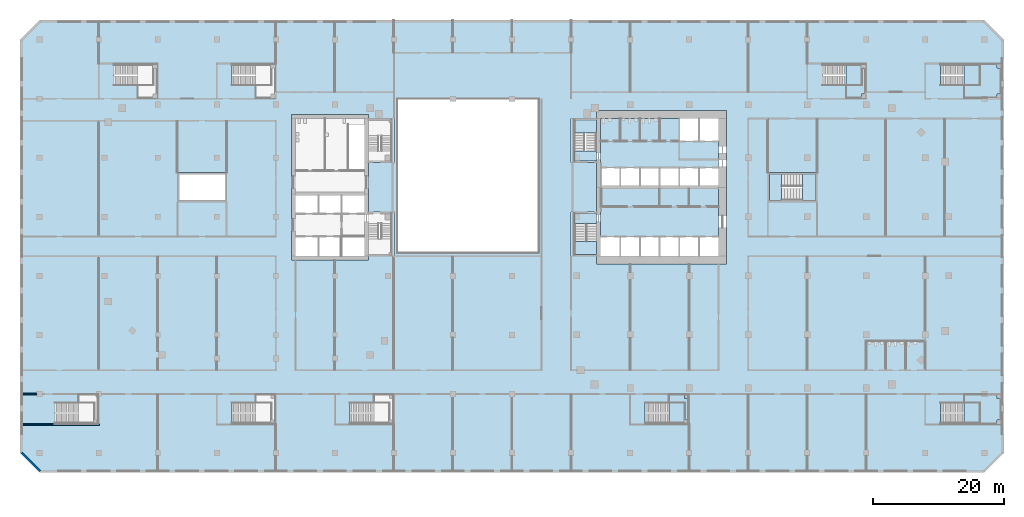
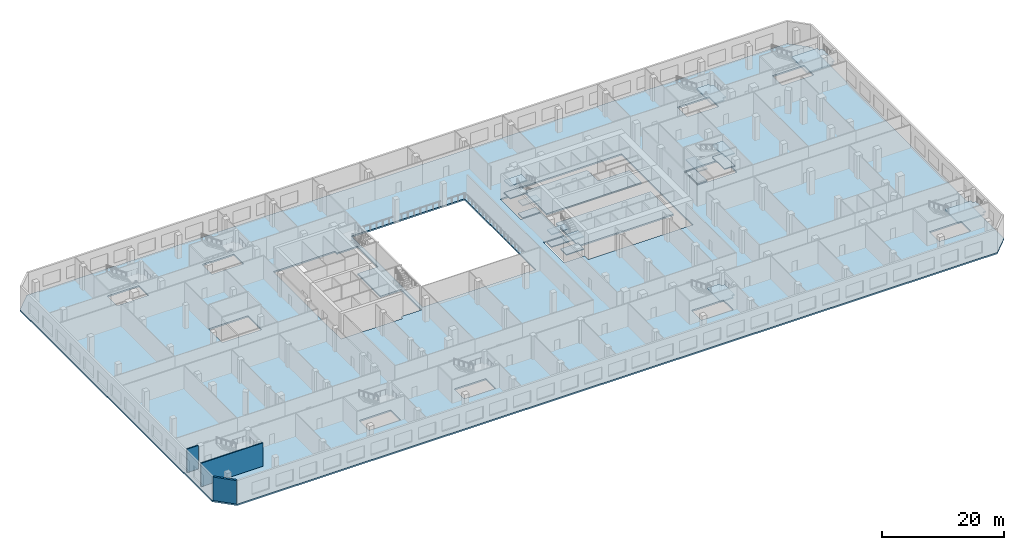
# One storey, part 3 of 21: 19 slabs, 3 walls, 7 elements without a shape of their own.
"""IFC4 building model written with IfcOpenShell, lengths in metres."""

from ifc_helpers import new_model, si_unit, direction, frame, frame_2d, origin, place, context, subcontext, project, spatial, polyline, rectangle, outline, extrude, material, layer, layer_set, type_object, element, aggregate, save


model = new_model("IFC4")

# Units and contexts
model_context = context("Model", 3, precision=1e-05, world=origin(), true_north=direction((0.0, 1.0)))
body_context = subcontext(model_context, "Body", "Model", "MODEL_VIEW")
ifc_project = project(units=[si_unit("LENGTHUNIT", "METRE"), si_unit("AREAUNIT", "SQUARE_METRE"), si_unit("VOLUMEUNIT", "CUBIC_METRE"), si_unit("PLANEANGLEUNIT", "RADIAN"), si_unit("MASSUNIT", "GRAM", prefix="KILO")], contexts=[model_context])

# Site, building, storey
site_placement = place(None, origin())
site = spatial("IfcSite", under=ifc_project, at=site_placement, CompositionType="ELEMENT")
building_placement = place(site_placement, origin())
building = spatial("IfcBuilding", under=site, at=building_placement, Name="Cinnabar Reach Civic Tower", CompositionType="ELEMENT")
storey_placement = place(building_placement, frame((0.0, 0.0, 16.0)))
storey = spatial("IfcBuildingStorey", under=building, at=storey_placement, Name="L03", CompositionType="ELEMENT", Elevation=16.0)

# Stair, slab
ifc_material_1 = material(Name="Concrete C35", Category="concrete")
stair_type_1 = type_object("IfcStairType", Name="Podium exit stair 1500", PredefinedType="HALF_TURN_STAIR", material=ifc_material_1)
stair_1_placement = place(storey_placement, origin())
stair_1 = element("IfcStair", 1, at=stair_1_placement, inside=storey, type_object=stair_type_1, Name="Stair PS3", PredefinedType="HALF_TURN_STAIR")
ifc_material_2 = material(Name="Concrete C35/45", Category="concrete")
ifc_layer_1 = layer(ifc_material_2, 0.25)
ifc_layer_set_1 = layer_set([ifc_layer_1], Name="Podium exit stair landing 250")
slab_type_1 = type_object("IfcSlabType", Name="Podium exit stair landing 250", PredefinedType="LANDING", material=ifc_layer_set_1)
slab_1_placement = place(storey_placement, frame((0.0, 0.0, 2.25)))
slab_1 = element("IfcSlab", 2, at=slab_1_placement, type_object=slab_type_1, Name="PS3 landing 1", PredefinedType="LANDING", context=body_context, shape_type="SweptSolid", body=[
    extrude(outline(polyline([(17.9, -3.95), (17.3, -3.95), (17.3, -4.55), (14.93, -4.55), (14.93, -0.1), (17.3, -0.1), (17.3, -0.7), (17.9, -0.7), (17.9, -3.95)])), origin(), (0.0, 0.0, 1.0), 0.25),
])
aggregate(stair_1, [slab_1])

stair_2_placement = place(storey_placement, origin())
stair_2 = element("IfcStair", 3, at=stair_2_placement, inside=storey, type_object=stair_type_1, Name="Stair PS4", PredefinedType="HALF_TURN_STAIR")
slab_2_placement = place(storey_placement, frame((0.0, 0.0, 2.25)))
slab_2 = element("IfcSlab", 4, at=slab_2_placement, type_object=slab_type_1, Name="PS4 landing 1", PredefinedType="LANDING", context=body_context, shape_type="SweptSolid", body=[
    extrude(outline(polyline([(65.5, -3.95), (64.9, -3.95), (64.9, -4.55), (59.93, -4.55), (59.93, -0.1), (64.9, -0.1), (64.9, -0.7), (65.5, -0.7), (65.5, -3.95)])), origin(), (0.0, 0.0, 1.0), 0.25),
])
aggregate(stair_2, [slab_2])

stair_3_placement = place(storey_placement, origin())
stair_3 = element("IfcStair", 5, at=stair_3_placement, inside=storey, type_object=stair_type_1, Name="Stair PS5", PredefinedType="HALF_TURN_STAIR")
slab_3_placement = place(storey_placement, frame((0.0, 0.0, 2.25)))
slab_3 = element("IfcSlab", 6, at=slab_3_placement, type_object=slab_type_1, Name="PS5 landing 1", PredefinedType="LANDING", context=body_context, shape_type="SweptSolid", body=[
    extrude(outline(polyline([(65.5, 45.7), (64.9, 45.7), (64.9, 45.1), (59.93, 45.1), (59.93, 50.25), (64.9, 50.25), (64.9, 49.65), (65.5, 49.65), (65.5, 45.7)])), origin(), (0.0, 0.0, 1.0), 0.25),
])
aggregate(stair_3, [slab_3])

stair_4_placement = place(storey_placement, origin())
stair_4 = element("IfcStair", 7, at=stair_4_placement, inside=storey, type_object=stair_type_1, Name="Stair PS6", PredefinedType="HALF_TURN_STAIR")
slab_4_placement = place(storey_placement, frame((0.0, 0.0, 2.25)))
slab_4 = element("IfcSlab", 8, at=slab_4_placement, type_object=slab_type_1, Name="PS6 landing 1", PredefinedType="LANDING", context=body_context, shape_type="SweptSolid", body=[
    extrude(outline(polyline([(44.9, 45.7), (44.3, 45.7), (44.3, 45.1), (41.93, 45.1), (41.93, 50.25), (44.3, 50.25), (44.3, 49.65), (44.9, 49.65), (44.9, 45.7)])), origin(), (0.0, 0.0, 1.0), 0.25),
])
aggregate(stair_4, [slab_4])

# Slab
ifc_material_3 = material(Name="Concrete C40", Category="concrete")
ifc_layer_2 = layer(ifc_material_3, 0.3)
ifc_layer_set_2 = layer_set([ifc_layer_2], Name="Podium flat plate 300 REI 150")
slab_type_2 = type_object("IfcSlabType", Name="Podium flat plate 300 REI 150", PredefinedType="FLOOR", material=ifc_layer_set_2)
slab_5_placement = place(storey_placement, frame((0.0, 0.0, -0.3)))
element("IfcSlab", 9, at=slab_5_placement, inside=storey, type_object=slab_type_2, Name="Podium flat plate 300 L03", PredefinedType="FLOOR", context=body_context, shape_type="SweptSolid", body=[
    extrude(outline(polyline([(-84.0, -9.0), (-84.0, 54.0), (-81.0, 57.0), (63.0, 57.0), (66.0, 54.0), (66.0, -9.0), (63.0, -12.0), (-81.0, -12.0), (-84.0, -9.0)]), holes=[polyline([(-78.7, -1.3), (-78.7, -4.5), (-72.7, -4.5), (-72.7, -1.3), (-78.7, -1.3)]), polyline([(-45.7, -1.3), (-51.7, -1.3), (-51.7, -4.5), (-45.7, -4.5), (-45.7, -1.3)]), polyline([(-27.7, -1.3), (-33.7, -1.3), (-33.7, -4.5), (-27.7, -4.5), (-27.7, -1.3)]), polyline([(-52.5, 33.75), (-60.0, 33.75), (-60.0, 29.25), (-52.5, 29.25), (-52.5, 33.75)]), polyline([(-42.6, 20.4), (-30.9, 20.4), (-30.9, 21.0), (-27.0, 21.0), (-27.0, 27.75), (-30.9, 27.75), (-30.9, 35.25), (-27.0, 35.25), (-27.0, 42.0), (-30.9, 42.0), (-30.9, 42.6), (-42.6, 42.6), (-42.6, 20.4)]), polyline([(-63.7, 50.2), (-69.7, 50.2), (-69.7, 47.0), (-63.7, 47.0), (-63.7, 50.2)]), polyline([(-45.7, 50.2), (-51.7, 50.2), (-51.7, 47.0), (-45.7, 47.0), (-45.7, 50.2)]), polyline([(11.3, -1.3), (11.3, -4.5), (17.3, -4.5), (17.3, -1.3), (11.3, -1.3)]), polyline([(62.3, -1.3), (56.3, -1.3), (56.3, -4.5), (62.3, -4.5), (62.3, -1.3)]), polyline([(3.9, 42.0), (0.0, 42.0), (0.0, 35.25), (3.9, 35.25), (3.9, 27.75), (0.0, 27.75), (0.0, 21.0), (3.9, 21.0), (3.9, 19.8), (23.7, 19.8), (23.7, 43.2), (3.9, 43.2), (3.9, 42.0)]), polyline([(37.5, 33.75), (30.0, 33.75), (30.0, 29.25), (37.5, 29.25), (37.5, 33.75)]), polyline([(-5.0, 45.0), (-26.4, 45.0), (-26.4, 21.6), (-5.0, 21.6), (-5.0, 45.0)]), polyline([(44.3, 47.0), (44.3, 50.2), (38.3, 50.2), (38.3, 47.0), (44.3, 47.0)]), polyline([(62.3, 47.0), (62.3, 50.2), (56.3, 50.2), (56.3, 47.0), (62.3, 47.0)])]), origin(), (0.0, 0.0, 1.0), 0.3),
])

# Stair, slabs
ifc_material_4 = material(Name="Concrete C40/50", Category="concrete")
stair_type_2 = type_object("IfcStairType", Name="T1 Exit stair, double return", PredefinedType="DOUBLE_RETURN_STAIR", material=ifc_material_4)
stair_5_placement = place(storey_placement, origin())
stair_5 = element("IfcStair", 10, at=stair_5_placement, inside=storey, type_object=stair_type_2, Name="Stair T1-S1", PredefinedType="DOUBLE_RETURN_STAIR")
ifc_layer_3 = layer(ifc_material_4, 0.2)
ifc_layer_set_3 = layer_set([ifc_layer_3], Name="T1 Stair landing 200, Concrete C40/50")
slab_type_3 = type_object("IfcSlabType", Name="T1 Stair landing 200, Concrete C40/50", PredefinedType="LANDING", material=ifc_layer_set_3)
slab_6_placement = place(storey_placement, frame((0.0, 0.0, -0.2)))
slab_6 = element("IfcSlab", 11, at=slab_6_placement, type_object=slab_type_3, Name="T1-S1 landing 1", PredefinedType="LANDING", context=body_context, shape_type="SweptSolid", body=[
    extrude(outline(polyline([(3.9, 25.95), (3.9, 27.5), (0.5, 27.5), (0.5, 25.95), (3.9, 25.95)])), origin(), (0.0, 0.0, 1.0), 0.2),
])
slab_7_placement = place(storey_placement, frame((0.0, 0.0, 1.05)))
slab_7 = element("IfcSlab", 12, at=slab_7_placement, type_object=slab_type_3, Name="T1-S1 landing 2", PredefinedType="LANDING", context=body_context, shape_type="SweptSolid", body=[
    extrude(outline(polyline([(3.9, 21.25), (3.9, 23.205), (0.6, 23.205), (0.6, 21.25), (3.9, 21.25)])), origin(), (0.0, 0.0, 1.0), 0.2),
])
slab_8_placement = place(storey_placement, frame((0.0, 0.0, 2.3)))
slab_8 = element("IfcSlab", 13, at=slab_8_placement, type_object=slab_type_3, Name="T1-S1 landing 3", PredefinedType="LANDING", context=body_context, shape_type="SweptSolid", body=[
    extrude(outline(polyline([(3.9, 25.95), (3.9, 27.5), (0.5, 27.5), (0.5, 25.95), (3.9, 25.95)])), origin(), (0.0, 0.0, 1.0), 0.2),
])
slab_9_placement = place(storey_placement, frame((0.0, 0.0, 3.55)))
slab_9 = element("IfcSlab", 14, at=slab_9_placement, type_object=slab_type_3, Name="T1-S1 landing 4", PredefinedType="LANDING", context=body_context, shape_type="SweptSolid", body=[
    extrude(outline(polyline([(3.9, 21.25), (3.9, 23.205), (0.6, 23.205), (0.6, 21.25), (3.9, 21.25)])), origin(), (0.0, 0.0, 1.0), 0.2),
])
aggregate(stair_5, [slab_6, slab_7, slab_8, slab_9])

stair_6_placement = place(storey_placement, origin())
stair_6 = element("IfcStair", 15, at=stair_6_placement, inside=storey, type_object=stair_type_2, Name="Stair T1-S2", PredefinedType="DOUBLE_RETURN_STAIR")
slab_10_placement = place(storey_placement, frame((0.0, 0.0, -0.2)))
slab_10 = element("IfcSlab", 16, at=slab_10_placement, type_object=slab_type_3, Name="T1-S2 landing 1", PredefinedType="LANDING", context=body_context, shape_type="SweptSolid", body=[
    extrude(outline(polyline([(3.9, 35.5), (3.9, 37.05), (0.5, 37.05), (0.5, 35.5), (3.9, 35.5)])), origin(), (0.0, 0.0, 1.0), 0.2),
])
slab_11_placement = place(storey_placement, frame((0.0, 0.0, 1.05)))
slab_11 = element("IfcSlab", 17, at=slab_11_placement, type_object=slab_type_3, Name="T1-S2 landing 2", PredefinedType="LANDING", context=body_context, shape_type="SweptSolid", body=[
    extrude(outline(polyline([(3.9, 39.795), (3.9, 41.75), (0.6, 41.75), (0.6, 39.795), (3.9, 39.795)])), origin(), (0.0, 0.0, 1.0), 0.2),
])
slab_12_placement = place(storey_placement, frame((0.0, 0.0, 2.3)))
slab_12 = element("IfcSlab", 18, at=slab_12_placement, type_object=slab_type_3, Name="T1-S2 landing 3", PredefinedType="LANDING", context=body_context, shape_type="SweptSolid", body=[
    extrude(outline(polyline([(3.9, 35.5), (3.9, 37.05), (0.5, 37.05), (0.5, 35.5), (3.9, 35.5)])), origin(), (0.0, 0.0, 1.0), 0.2),
])
slab_13_placement = place(storey_placement, frame((0.0, 0.0, 3.55)))
slab_13 = element("IfcSlab", 19, at=slab_13_placement, type_object=slab_type_3, Name="T1-S2 landing 4", PredefinedType="LANDING", context=body_context, shape_type="SweptSolid", body=[
    extrude(outline(polyline([(3.9, 39.795), (3.9, 41.75), (0.6, 41.75), (0.6, 39.795), (3.9, 39.795)])), origin(), (0.0, 0.0, 1.0), 0.2),
])
aggregate(stair_6, [slab_10, slab_11, slab_12, slab_13])

stair_7_placement = place(storey_placement, origin())
stair_7 = element("IfcStair", 20, at=stair_7_placement, inside=storey, type_object=stair_type_2, Name="Stair T1-S3", PredefinedType="DOUBLE_RETURN_STAIR")
slab_14_placement = place(storey_placement, frame((0.0, 0.0, -0.2)))
slab_14 = element("IfcSlab", 21, at=slab_14_placement, type_object=slab_type_3, Name="T1-S3 landing 1", PredefinedType="LANDING", context=body_context, shape_type="SweptSolid", body=[
    extrude(outline(polyline([(30.25, 29.5), (32.05, 29.5), (32.05, 33.5), (30.25, 33.5), (30.25, 29.5)])), origin(), (0.0, 0.0, 1.0), 0.2),
])
slab_15_placement = place(storey_placement, frame((0.0, 0.0, 1.05)))
slab_15 = element("IfcSlab", 22, at=slab_15_placement, type_object=slab_type_3, Name="T1-S3 landing 2", PredefinedType="LANDING", context=body_context, shape_type="SweptSolid", body=[
    extrude(outline(polyline([(35.29, 29.5), (37.25, 29.5), (37.25, 33.5), (35.29, 33.5), (35.29, 29.5)])), origin(), (0.0, 0.0, 1.0), 0.2),
])
slab_16_placement = place(storey_placement, frame((0.0, 0.0, 2.3)))
slab_16 = element("IfcSlab", 23, at=slab_16_placement, type_object=slab_type_3, Name="T1-S3 landing 3", PredefinedType="LANDING", context=body_context, shape_type="SweptSolid", body=[
    extrude(outline(polyline([(30.25, 29.5), (32.05, 29.5), (32.05, 33.5), (30.25, 33.5), (30.25, 29.5)])), origin(), (0.0, 0.0, 1.0), 0.2),
])
slab_17_placement = place(storey_placement, frame((0.0, 0.0, 3.55)))
slab_17 = element("IfcSlab", 24, at=slab_17_placement, type_object=slab_type_3, Name="T1-S3 landing 4", PredefinedType="LANDING", context=body_context, shape_type="SweptSolid", body=[
    extrude(outline(polyline([(35.29, 29.5), (37.25, 29.5), (37.25, 33.5), (35.29, 33.5), (35.29, 29.5)])), origin(), (0.0, 0.0, 1.0), 0.2),
])
aggregate(stair_7, [slab_14, slab_15, slab_16, slab_17])

# Slabs
ifc_layer_4 = layer(ifc_material_4, 0.3)
ifc_layer_set_4 = layer_set([ifc_layer_4], Name="T1 core floor slab 300")
slab_type_4 = type_object("IfcSlabType", Name="T1 core floor slab 300", PredefinedType="FLOOR", material=ifc_layer_set_4)
slab_18_placement = place(storey_placement, frame((0.0, 0.0, -0.3)))
element("IfcSlab", 25, at=slab_18_placement, inside=storey, type_object=slab_type_4, Name="Core floor slab L03", PredefinedType="FLOOR", context=body_context, shape_type="SweptSolid", body=[
    extrude(outline(polyline([(22.5, 24.0), (19.5, 24.0), (16.5, 24.0), (13.5, 24.0), (10.5, 24.0), (7.5, 24.0), (4.5, 24.0), (4.5, 31.5), (7.5, 31.5), (10.5, 31.5), (13.5, 31.5), (16.5, 31.5), (19.5, 31.5), (22.5, 31.5), (22.5, 24.0)])), origin(), (0.0, 0.0, 1.0), 0.3),
])
slab_19_placement = place(storey_placement, frame((0.0, 0.0, -0.3)))
element("IfcSlab", 26, at=slab_19_placement, inside=storey, type_object=slab_type_4, Name="Core floor slab L03", PredefinedType="FLOOR", context=body_context, shape_type="SweptSolid", body=[
    extrude(outline(polyline([(22.5, 34.5), (19.5, 34.5), (16.5, 34.5), (13.5, 34.5), (10.5, 34.5), (7.5, 34.5), (4.5, 34.5), (4.5, 42.0), (16.5, 42.0), (16.5, 38.5), (19.5, 38.5), (22.5, 38.5), (22.5, 34.5)])), origin(), (0.0, 0.0, 1.0), 0.3),
])

# Walls
ifc_material_5 = material(Name="Facing brick with insulated backing", Category="masonry")
ifc_layer_5 = layer(ifc_material_5, 0.36)
ifc_layer_set_5 = layer_set([ifc_layer_5], Name="Brick corner wall")
wall_type_1 = type_object("IfcWallType", Name="Brick corner wall", PredefinedType="STANDARD", material=ifc_layer_set_5)
wall_1_placement = place(storey_placement, frame((-83.7843, -8.9611, 0.0), z_axis=(0.0, 0.0, 1.0), x_axis=(0.707106781187, -0.707106781187, 0.0)))
element("IfcWall", 27, at=wall_1_placement, inside=storey, type_object=wall_type_1, Name="Brick corner wall", PredefinedType="STANDARD", context=body_context, shape_type="SweptSolid", body=[
    extrude(rectangle(XDim=3.9926, YDim=0.36, at=frame_2d((1.9963, 0.0))), origin(), (0.0, 0.0, 1.0), 4.7),
])
ifc_layer_6 = layer(ifc_material_3, 0.2)
ifc_layer_set_6 = layer_set([ifc_layer_6], Name="Podium stair shaft wall 200 EI 120")
wall_type_2 = type_object("IfcWallType", Name="Podium stair shaft wall 200 EI 120", PredefinedType="SOLIDWALL", material=ifc_layer_set_6)
wall_2_placement = place(storey_placement, frame((-83.6, 0.0, 0.0), z_axis=(0.0, 0.0, 1.0), x_axis=(1.0, 0.0, 0.0)))
element("IfcWall", 28, at=wall_2_placement, inside=storey, type_object=wall_type_2, Name="Wall L03 1", PredefinedType="SOLIDWALL", context=body_context, shape_type="SweptSolid", body=[
    extrude(rectangle(XDim=2.13, YDim=0.2, at=frame_2d((1.065, 0.0))), origin(), (0.0, 0.0, 1.0), 4.7),
])
wall_3_placement = place(storey_placement, frame((-83.6, -4.65, 0.0), z_axis=(0.0, 0.0, 1.0), x_axis=(1.0, 0.0, 0.0)))
element("IfcWall", 29, at=wall_3_placement, inside=storey, type_object=wall_type_2, Name="Wall L03 4", PredefinedType="SOLIDWALL", context=body_context, shape_type="SweptSolid", body=[
    extrude(rectangle(XDim=11.7, YDim=0.2, at=frame_2d((5.85, 0.0))), origin(), (0.0, 0.0, 1.0), 4.7),
])

save(model, "model.ifc")
